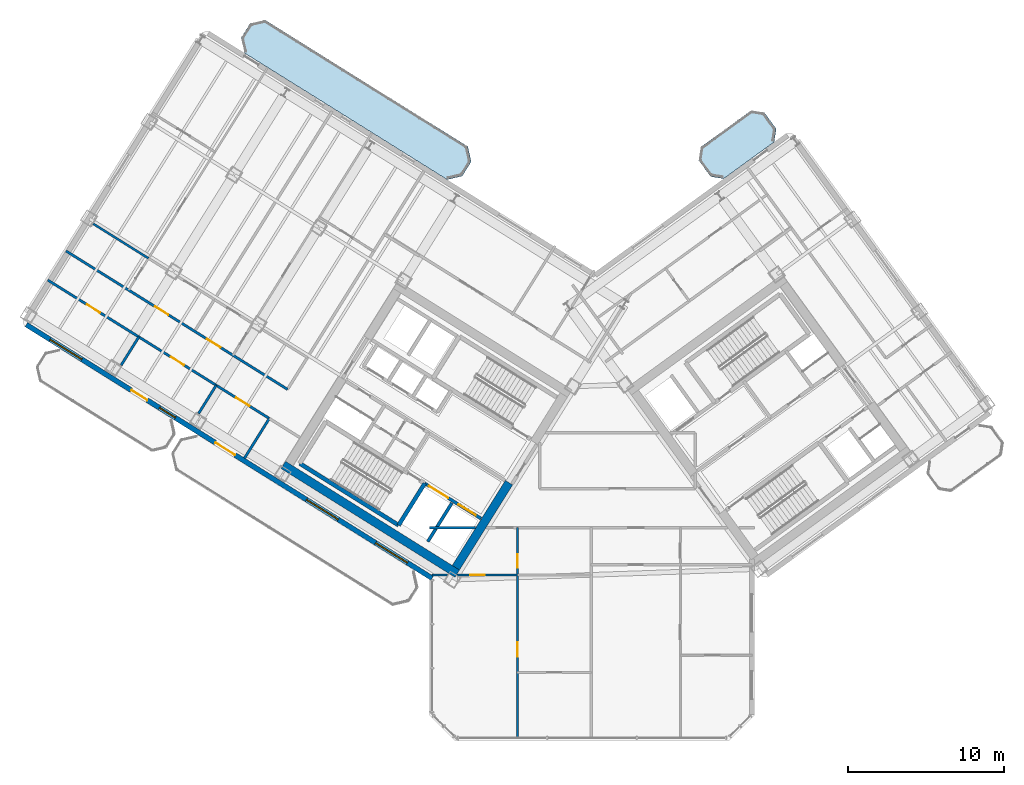
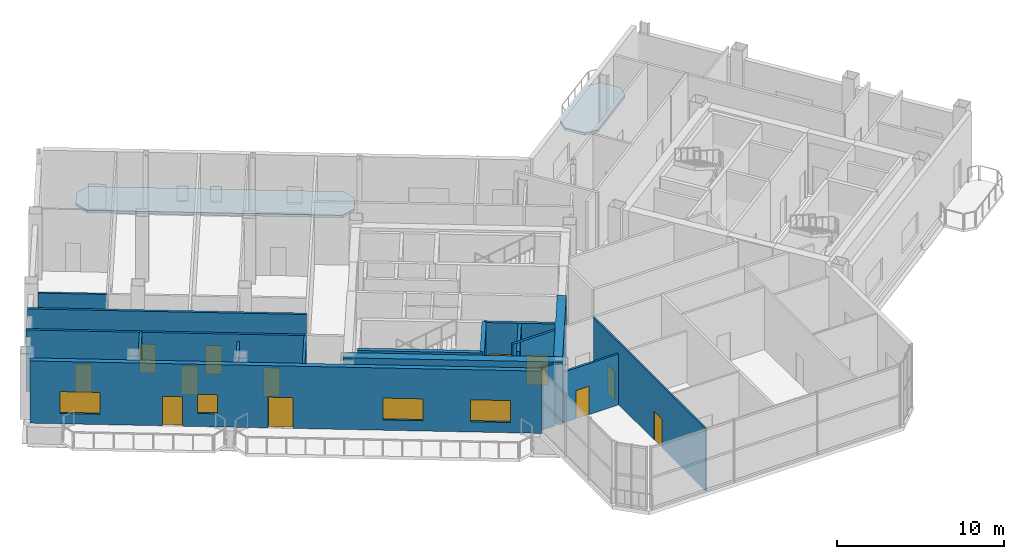
# One storey, part 12 of 21: 17 walls, 12 doors, 4 windows, 2 slabs, 16 openings.
"""IFC4 building model written with IfcOpenShell, lengths in metres."""

from ifc_helpers import new_model, si_unit, direction, frame, frame_2d, origin, place, context, subcontext, project, spatial, polyline, rectangle, outline, extrude, source, transform, mapped, material, layer, layer_set, type_object, element, fill, save


model = new_model("IFC4")

# Units and contexts
model_context = context("Model", 3, precision=1e-05, world=origin(), true_north=direction((0.0, 1.0)))
body_context = subcontext(model_context, "Body", "Model", "MODEL_VIEW")
ifc_project = project(units=[si_unit("LENGTHUNIT", "METRE"), si_unit("AREAUNIT", "SQUARE_METRE"), si_unit("VOLUMEUNIT", "CUBIC_METRE"), si_unit("PLANEANGLEUNIT", "RADIAN"), si_unit("MASSUNIT", "GRAM", prefix="KILO")], contexts=[model_context])

# Site, building, storey
site_placement = place(None, origin())
site = spatial("IfcSite", under=ifc_project, at=site_placement, CompositionType="ELEMENT")
building_placement = place(site_placement, origin())
building = spatial("IfcBuilding", under=site, at=building_placement, Name="Tlacorven Tower", CompositionType="ELEMENT")
storey_placement = place(building_placement, frame((0.0, 0.0, 179.39990234375)))
storey = spatial("IfcBuildingStorey", under=building, at=storey_placement, Name="L45", CompositionType="ELEMENT", Elevation=179.39990234375)

# Slabs
ifc_material_1 = material(Name="Precast concrete C45/55", Category="concrete")
ifc_layer_1 = layer(ifc_material_1, 0.179931640625)
ifc_layer_set_1 = layer_set([ifc_layer_1], Name="Precast concrete C45/55")
slab_type = type_object("IfcSlabType", Name="SL-BAL-180", PredefinedType="USERDEFINED", material=ifc_layer_set_1)
slab_1_placement = place(storey_placement, frame((0.0, 0.0, -0.179931640625)))
element("IfcSlab", 1, at=slab_1_placement, inside=storey, type_object=slab_type, Name="L45 West Wing Balcony Ribbon IN", ObjectType="BALCONY SLAB", PredefinedType="USERDEFINED", context=body_context, shape_type="SweptSolid", body=[
    extrude(outline(polyline([(34.0419921875, 39.835693359375), (21.06689453125, 47.943359375), (20.102294921875, 47.720703125), (19.52197265625, 46.7919921875), (19.744873046875, 45.827392578125), (32.719970703125, 37.7197265625), (33.6845703125, 37.9423828125), (34.2646484375, 38.87109375), (34.0419921875, 39.835693359375)])), origin(), (0.0, 0.0, 1.0), 0.179931640625),
])
slab_2_placement = place(storey_placement, frame((0.0, 0.0, -0.179931640625)))
element("IfcSlab", 2, at=slab_2_placement, inside=storey, type_object=slab_type, Name="L45 East Wing Balcony Ribbon IN", ObjectType="BALCONY SLAB", PredefinedType="USERDEFINED", context=body_context, shape_type="SweptSolid", body=[
    extrude(outline(polyline([(50.433837890625, 37.77880859375), (53.669921875, 40.1298828125), (53.802490234375, 40.968017578125), (53.04150390625, 42.015625), (52.203369140625, 42.1484375), (48.96728515625, 39.79736328125), (48.83447265625, 38.959228515625), (49.595703125, 37.91162109375), (50.433837890625, 37.77880859375)])), origin(), (0.0, 0.0, 1.0), 0.179931640625),
])

# Walls
ifc_material_2 = material(Name="Concrete C60/75", Category="concrete")
ifc_layer_2 = layer(ifc_material_2, 0.550048828125)
ifc_layer_set_2 = layer_set([ifc_layer_2], Name="Concrete C60/75")
wall_type_1 = type_object("IfcWallType", Name="WL-COR-550", PredefinedType="SHEAR", material=ifc_layer_set_2)
wall_1_placement = place(storey_placement, frame((33.3662109375, 12.4765625, 0.0), z_axis=(0.0, 0.0, 1.0), x_axis=(-0.848047359947, 0.529920442413, 0.0)))
element("IfcWall", 3, at=wall_1_placement, inside=storey, type_object=wall_type_1, Name="L45 W core shear wall S2", PredefinedType="SHEAR", context=body_context, shape_type="SweptSolid", body=[
    extrude(rectangle(XDim=13.139892578125, YDim=0.550048828125, at=frame_2d((6.56982421875, 0.0))), origin(), (0.0, 0.0, 1.0), 4.550048828125),
])
wall_2_placement = place(storey_placement, frame((36.683349609375, 18.30419921875, 0.0), z_axis=(0.0, 0.0, 1.0), x_axis=(-0.529896466841, -0.848062341122, 0.0)))
element("IfcWall", 4, at=wall_2_placement, inside=storey, type_object=wall_type_1, Name="L45 W core end wall E1.2", PredefinedType="SHEAR", context=body_context, shape_type="SweptSolid", body=[
    extrude(rectangle(XDim=6.4248046875, YDim=0.550048828125, at=frame_2d((3.21240234375, 0.0))), origin(), (0.0, 0.0, 1.0), 4.550048828125),
])
ifc_material_3 = material(Name="Gypsum plasterboard acoustic partition", Category="gypsum")
ifc_layer_3 = layer(ifc_material_3, 0.159912109375)
ifc_layer_set_3 = layer_set([ifc_layer_3], Name="Gypsum plasterboard acoustic partition")
wall_type_2 = type_object("IfcWallType", Name="WL-DEM-160", PredefinedType="PARTITIONING", material=ifc_layer_set_3)
wall_3_placement = place(storey_placement, frame((21.3291015625, 22.41552734375, 0.0), z_axis=(0.0, 0.0, 1.0), x_axis=(-0.529933104572, -0.848039447596, 0.0)))
element("IfcWall", 5, at=wall_3_placement, inside=storey, type_object=wall_type_2, Name="L45 partition 48", PredefinedType="PARTITIONING", context=body_context, shape_type="SweptSolid", body=[
    extrude(rectangle(XDim=3.0, YDim=0.159912109375, at=frame_2d((1.5, 0.0))), origin(), (0.0, 0.0, 1.0), 4.5400390625),
])

# Wall, openings, doors
wall_4_placement = place(storey_placement, frame((22.494873046875, 24.28125, 0.0), z_axis=(0.0, 0.0, 1.0), x_axis=(-0.848052408131, 0.529912363569, 0.0)))
wall_4 = element("IfcWall", 6, at=wall_4_placement, inside=storey, type_object=wall_type_2, Name="L45 Wing W Corridor South Wall", PredefinedType="PARTITIONING", context=body_context, shape_type="SweptSolid", body=[
    extrude(rectangle(XDim=16.72998046875, YDim=0.159912109375, at=frame_2d((8.364990234375, 0.0))), origin(), (0.0, 0.0, 1.0), 4.5400390625),
])
opening_1_placement = place(wall_4_placement, frame((5.068115234375, 0.0, 0.0)))
opening_1 = element("IfcOpeningElement", 7, at=opening_1_placement, cuts=wall_4, Name="Opening D11", PredefinedType="OPENING", context=body_context, shape_type="SweptSolid", body=[
    extrude(rectangle(XDim=1.0, YDim=2.10009765625, at=frame_2d((0.5, 1.050048828125))), frame((0.0, 0.08984375, 0.0), z_axis=(0.0, -1.0, 0.0), x_axis=(1.0, 0.0, 0.0)), (0.0, 0.0, 1.0), 0.179931640625),
])
opening_2_placement = place(wall_4_placement, frame((9.010986328125, 0.0, 0.0)))
opening_2 = element("IfcOpeningElement", 8, at=opening_2_placement, cuts=wall_4, Name="Opening D11", PredefinedType="OPENING", context=body_context, shape_type="SweptSolid", body=[
    extrude(rectangle(XDim=1.0, YDim=2.10009765625, at=frame_2d((0.5, 1.050048828125))), frame((0.0, 0.08984375, 0.0), z_axis=(0.0, -1.0, 0.0), x_axis=(1.0, 0.0, 0.0)), (0.0, 0.0, 1.0), 0.179931640625),
])
ifc_material_4 = material(Name="Fire-rated steel door assembly", Category="steel")
door_type_1 = type_object("IfcDoorType", Name="DR-FLT-FD60-1000", OperationType="NOTDEFINED", PredefinedType="DOOR", material=ifc_material_4)
shared_shape_1 = source(origin(), body_context, "Body", "SweptSolid", [
    extrude(rectangle(XDim=1.0, YDim=2.10009765625, at=frame_2d((0.5, 1.050048828125))), frame((0.0, 0.02490234375, 0.0), z_axis=(0.0, -1.0, 0.0), x_axis=(1.0, 0.0, 0.0)), (0.0, 0.0, 1.0), 0.050048828125),
])
door_1_placement = place(opening_1_placement, origin())
door_1 = element("IfcDoor", 9, at=door_1_placement, inside=storey, type_object=door_type_1, Name="L45 door 027", OperationType="SINGLE_SWING_LEFT", OverallHeight=2.10009765625, OverallWidth=1.0, PredefinedType="DOOR", context=body_context, shape_type="MappedRepresentation", body=[
    mapped(shared_shape_1, transform((0.0, 0.0, 0.0), scale=1.0)),
])
fill(opening_1, door_1)
door_2_placement = place(opening_2_placement, origin())
door_2 = element("IfcDoor", 10, at=door_2_placement, inside=storey, type_object=door_type_1, Name="L45 door 033", OperationType="SINGLE_SWING_LEFT", OverallHeight=2.10009765625, OverallWidth=1.0, PredefinedType="DOOR", context=body_context, shape_type="MappedRepresentation", body=[
    mapped(shared_shape_1, transform((0.0, 0.0, 0.0), scale=1.0)),
])
fill(opening_2, door_2)

wall_5_placement = place(storey_placement, frame((21.3291015625, 22.41552734375, 0.0), z_axis=(0.0, 0.0, 1.0), x_axis=(-0.848052408131, 0.529912363569, 0.0)))
wall_5 = element("IfcWall", 11, at=wall_5_placement, inside=storey, type_object=wall_type_2, Name="L45 Wing W Corridor North Wall", PredefinedType="PARTITIONING", context=body_context, shape_type="SweptSolid", body=[
    extrude(rectangle(XDim=16.72998046875, YDim=0.159912109375, at=frame_2d((8.364990234375, 0.0))), origin(), (0.0, 0.0, 1.0), 4.5400390625),
])
opening_3_placement = place(wall_5_placement, frame((1.5048828125, 0.0, 0.0)))
opening_3 = element("IfcOpeningElement", 12, at=opening_3_placement, cuts=wall_5, Name="Opening D11", PredefinedType="OPENING", context=body_context, shape_type="SweptSolid", body=[
    extrude(rectangle(XDim=1.0, YDim=2.10009765625, at=frame_2d((0.5, 1.050048828125))), frame((0.0, 0.08984375, 0.0), z_axis=(0.0, -1.0, 0.0), x_axis=(1.0, 0.0, 0.0)), (0.0, 0.0, 1.0), 0.179931640625),
])
opening_4_placement = place(wall_5_placement, frame((6.4345703125, 0.0, 0.0)))
opening_4 = element("IfcOpeningElement", 13, at=opening_4_placement, cuts=wall_5, Name="Opening D11", PredefinedType="OPENING", context=body_context, shape_type="SweptSolid", body=[
    extrude(rectangle(XDim=1.0, YDim=2.10009765625, at=frame_2d((0.5, 1.050048828125))), frame((0.0, 0.08984375, 0.0), z_axis=(0.0, -1.0, 0.0), x_axis=(1.0, 0.0, 0.0)), (0.0, 0.0, 1.0), 0.179931640625),
])
opening_5_placement = place(wall_5_placement, frame((12.784423828125, 0.0, 0.0)))
opening_5 = element("IfcOpeningElement", 14, at=opening_5_placement, cuts=wall_5, Name="Opening D11", PredefinedType="OPENING", context=body_context, shape_type="SweptSolid", body=[
    extrude(rectangle(XDim=1.0, YDim=2.10009765625, at=frame_2d((0.5, 1.050048828125))), frame((0.0, 0.08984375, 0.0), z_axis=(0.0, -1.0, 0.0), x_axis=(1.0, 0.0, 0.0)), (0.0, 0.0, 1.0), 0.179931640625),
])
door_3_placement = place(opening_3_placement, origin())
door_3 = element("IfcDoor", 15, at=door_3_placement, inside=storey, type_object=door_type_1, Name="L45 door 023", OperationType="SINGLE_SWING_LEFT", OverallHeight=2.10009765625, OverallWidth=1.0, PredefinedType="DOOR", context=body_context, shape_type="MappedRepresentation", body=[
    mapped(shared_shape_1, transform((0.0, 0.0, 0.0), scale=1.0)),
])
fill(opening_3, door_3)
door_4_placement = place(opening_4_placement, origin())
door_4 = element("IfcDoor", 16, at=door_4_placement, inside=storey, type_object=door_type_1, Name="L45 door 024", OperationType="SINGLE_SWING_RIGHT", OverallHeight=2.10009765625, OverallWidth=1.0, PredefinedType="DOOR", context=body_context, shape_type="MappedRepresentation", body=[
    mapped(shared_shape_1, transform((0.0, 0.0, 0.0), scale=1.0)),
])
fill(opening_4, door_4)
door_5_placement = place(opening_5_placement, origin())
door_5 = element("IfcDoor", 17, at=door_5_placement, inside=storey, type_object=door_type_1, Name="L45 door 025", OperationType="SINGLE_SWING_LEFT", OverallHeight=2.10009765625, OverallWidth=1.0, PredefinedType="DOOR", context=body_context, shape_type="MappedRepresentation", body=[
    mapped(shared_shape_1, transform((0.0, 0.0, 0.0), scale=1.0)),
])
fill(opening_5, door_5)

# Walls
wall_6_placement = place(storey_placement, frame((17.92822265625, 24.54052734375, 0.0), z_axis=(0.0, 0.0, 1.0), x_axis=(-0.529844966244, -0.848094518167, 0.0)))
element("IfcWall", 18, at=wall_6_placement, inside=storey, type_object=wall_type_2, Name="L45 partition 51", PredefinedType="PARTITIONING", context=body_context, shape_type="SweptSolid", body=[
    extrude(rectangle(XDim=2.137939453125, YDim=0.159912109375, at=frame_2d((1.06884765625, 0.0))), origin(), (0.0, 0.0, 1.0), 4.025146484375),
])
wall_7_placement = place(storey_placement, frame((12.968017578125, 27.639892578125, 0.0), z_axis=(0.0, 0.0, 1.0), x_axis=(-0.52989628283, -0.848062456098, 0.0)))
element("IfcWall", 19, at=wall_7_placement, inside=storey, type_object=wall_type_2, Name="L45 partition 52", PredefinedType="PARTITIONING", context=body_context, shape_type="SweptSolid", body=[
    extrude(rectangle(XDim=2.1376953125, YDim=0.159912109375, at=frame_2d((1.06884765625, 0.0))), origin(), (0.0, 0.0, 1.0), 4.5400390625),
])
wall_8_placement = place(storey_placement, frame((31.60009765625, 15.419921875, 0.0), z_axis=(0.0, 0.0, 1.0), x_axis=(1.0, 0.0, 0.0)))
element("IfcWall", 20, at=wall_8_placement, inside=storey, type_object=wall_type_2, Name="L45 Knuckle Corridor South Wall", PredefinedType="PARTITIONING", context=body_context, shape_type="SweptSolid", body=[
    extrude(rectangle(XDim=2.925048828125, YDim=0.159912109375, at=frame_2d((1.46240234375, 0.0))), origin(), (0.0, 0.0, 1.0), 4.5400390625),
])

# Wall, openings, doors, windows
ifc_layer_4 = layer(ifc_material_1, 0.320068359375)
ifc_layer_set_4 = layer_set([ifc_layer_4], Name="Precast concrete C45/55")
wall_type_3 = type_object("IfcWallType", Name="WL-EXT-320", PredefinedType="STANDARD", material=ifc_layer_set_4)
wall_9_placement = place(storey_placement, frame((31.760009765625, 12.18310546875, 0.0), z_axis=(0.0, 0.0, 1.0), x_axis=(-0.848047074256, 0.529920899612, 0.0)))
wall_9 = element("IfcWall", 21, at=wall_9_placement, inside=storey, type_object=wall_type_3, Name="L45 Masonry-Frame Recessed Facade Wall 1", PredefinedType="STANDARD", context=body_context, shape_type="SweptSolid", body=[
    extrude(rectangle(XDim=30.652099609375, YDim=0.320068359375, at=frame_2d((15.326171875, 0.0))), origin(), (0.0, 0.0, 1.0), 4.550048828125),
])
opening_6_placement = place(wall_9_placement, frame((21.519775390625, 0.0, 0.0)))
opening_6 = element("IfcOpeningElement", 22, at=opening_6_placement, cuts=wall_9, Name="Opening D05", PredefinedType="OPENING", context=body_context, shape_type="SweptSolid", body=[
    extrude(rectangle(XDim=1.199951171875, YDim=2.14990234375, at=frame_2d((0.60009765625, 1.074951171875))), frame((0.0, 0.169921875, 0.0), z_axis=(0.0, -1.0, 0.0), x_axis=(1.0, 0.0, 0.0)), (0.0, 0.0, 1.0), 0.340087890625),
])
opening_7_placement = place(wall_9_placement, frame((14.87841796875, 0.0, 0.0)))
opening_7 = element("IfcOpeningElement", 23, at=opening_7_placement, cuts=wall_9, Name="Opening D04", PredefinedType="OPENING", context=body_context, shape_type="SweptSolid", body=[
    extrude(rectangle(XDim=1.5, YDim=2.25, at=frame_2d((0.75, 1.125))), frame((0.0, 0.169921875, 0.0), z_axis=(0.0, -1.0, 0.0), x_axis=(1.0, 0.0, 0.0)), (0.0, 0.0, 1.0), 0.340087890625),
])
opening_8_placement = place(wall_9_placement, frame((1.864501953125, 0.0, 0.75)))
opening_8 = element("IfcOpeningElement", 24, at=opening_8_placement, cuts=wall_9, Name="Opening WN06", PredefinedType="OPENING", context=body_context, shape_type="SweptSolid", body=[
    extrude(rectangle(XDim=2.39990234375, YDim=1.60009765625, at=frame_2d((1.199951171875, 0.800048828125))), frame((0.0, 0.169921875, 0.0), z_axis=(0.0, -1.0, 0.0), x_axis=(1.0, 0.0, 0.0)), (0.0, 0.0, 1.0), 0.340087890625),
])
opening_9_placement = place(wall_9_placement, frame((7.09375, 0.0, 0.75)))
opening_9 = element("IfcOpeningElement", 25, at=opening_9_placement, cuts=wall_9, Name="Opening WN06", PredefinedType="OPENING", context=body_context, shape_type="SweptSolid", body=[
    extrude(rectangle(XDim=2.39990234375, YDim=1.60009765625, at=frame_2d((1.199951171875, 0.800048828125))), frame((0.0, 0.169921875, 0.0), z_axis=(0.0, -1.0, 0.0), x_axis=(1.0, 0.0, 0.0)), (0.0, 0.0, 1.0), 0.340087890625),
])
opening_10_placement = place(wall_9_placement, frame((19.404052734375, 0.0, 0.949951171875)))
opening_10 = element("IfcOpeningElement", 26, at=opening_10_placement, cuts=wall_9, Name="Opening WN03", PredefinedType="OPENING", context=body_context, shape_type="SweptSolid", body=[
    extrude(rectangle(XDim=1.199951171875, YDim=1.39990234375, at=frame_2d((0.60009765625, 0.699951171875))), frame((0.0, 0.169921875, 0.0), z_axis=(0.0, -1.0, 0.0), x_axis=(1.0, 0.0, 0.0)), (0.0, 0.0, 1.0), 0.340087890625),
])
opening_11_placement = place(wall_9_placement, frame((26.458251953125, 0.0, 0.75)))
opening_11 = element("IfcOpeningElement", 27, at=opening_11_placement, cuts=wall_9, Name="Opening WN06", PredefinedType="OPENING", context=body_context, shape_type="SweptSolid", body=[
    extrude(rectangle(XDim=2.39990234375, YDim=1.60009765625, at=frame_2d((1.199951171875, 0.800048828125))), frame((0.0, 0.169921875, 0.0), z_axis=(0.0, -1.0, 0.0), x_axis=(1.0, 0.0, 0.0)), (0.0, 0.0, 1.0), 0.340087890625),
])
ifc_material_5 = material(Name="Powder-coated aluminium and timber door", Category="wood")
door_type_2 = type_object("IfcDoorType", Name="DR-EXT-BALC-1200", OperationType="NOTDEFINED", PredefinedType="DOOR", material=ifc_material_5)
shared_shape_2 = source(origin(), body_context, "Body", "SweptSolid", [
    extrude(rectangle(XDim=1.199951171875, YDim=2.14990234375, at=frame_2d((0.60009765625, 1.074951171875))), frame((0.0, 0.02490234375, 0.0), z_axis=(0.0, -1.0, 0.0), x_axis=(1.0, 0.0, 0.0)), (0.0, 0.0, 1.0), 0.050048828125),
])
door_6_placement = place(opening_6_placement, origin())
door_6 = element("IfcDoor", 28, at=door_6_placement, inside=storey, type_object=door_type_2, Name="L45 Outdoor Access Door BAL-L45-W-OUT", OperationType="SINGLE_SWING_LEFT", OverallHeight=2.14990234375, OverallWidth=1.199951171875, PredefinedType="DOOR", context=body_context, shape_type="MappedRepresentation", body=[
    mapped(shared_shape_2, transform((0.0, 0.0, 0.0), scale=1.0)),
])
fill(opening_6, door_6)
ifc_material_6 = material(Name="Dark solar low-E double glazing in anodised aluminium frame", Category="aluminium")
window_type_1 = type_object("IfcWindowType", Name="WN-APT-1200X1500", PartitioningType="SINGLE_PANEL", PredefinedType="WINDOW", material=ifc_material_6)
shared_shape_3 = source(origin(), body_context, "Body", "SweptSolid", [
    extrude(rectangle(XDim=1.199951171875, YDim=1.39990234375, at=frame_2d((0.60009765625, 0.699951171875))), frame((0.0, 0.030029296875, 0.0), z_axis=(0.0, -1.0, 0.0), x_axis=(1.0, 0.0, 0.0)), (0.0, 0.0, 1.0), 0.06005859375),
])
window_1_placement = place(opening_10_placement, origin())
window_1 = element("IfcWindow", 29, at=window_1_placement, inside=storey, type_object=window_type_1, Name="L45 Recessed Masonry-Frame Window L45-01.3", OverallHeight=1.39990234375, OverallWidth=1.199951171875, PartitioningType="SINGLE_PANEL", PredefinedType="WINDOW", context=body_context, shape_type="MappedRepresentation", body=[
    mapped(shared_shape_3, transform((0.0, 0.0, 0.0), scale=1.0)),
])
fill(opening_10, window_1)
door_type_3 = type_object("IfcDoorType", Name="DR-EXT-TERR-1500", OperationType="DOUBLE_DOOR_SINGLE_SWING", PredefinedType="DOOR", material=ifc_material_5)
shared_shape_4 = source(origin(), body_context, "Body", "SweptSolid", [
    extrude(rectangle(XDim=1.5, YDim=2.25, at=frame_2d((0.75, 1.125))), frame((0.0, 0.02490234375, 0.0), z_axis=(0.0, -1.0, 0.0), x_axis=(1.0, 0.0, 0.0)), (0.0, 0.0, 1.0), 0.050048828125),
])
door_7_placement = place(opening_7_placement, origin())
door_7 = element("IfcDoor", 30, at=door_7_placement, inside=storey, type_object=door_type_3, Name="L45 Outdoor Access Door TER-L45-SGW", OperationType="DOUBLE_DOOR_SINGLE_SWING", OverallHeight=2.25, OverallWidth=1.5, PredefinedType="DOOR", context=body_context, shape_type="MappedRepresentation", body=[
    mapped(shared_shape_4, transform((0.0, 0.0, 0.0), scale=1.0)),
])
fill(opening_7, door_7)
window_type_2 = type_object("IfcWindowType", Name="WN-APT-2400X1800", PartitioningType="SINGLE_PANEL", PredefinedType="WINDOW", material=ifc_material_6)
shared_shape_5 = source(origin(), body_context, "Body", "SweptSolid", [
    extrude(rectangle(XDim=2.39990234375, YDim=1.60009765625, at=frame_2d((1.199951171875, 0.800048828125))), frame((0.0, 0.030029296875, 0.0), z_axis=(0.0, -1.0, 0.0), x_axis=(1.0, 0.0, 0.0)), (0.0, 0.0, 1.0), 0.06005859375),
])
window_2_placement = place(opening_8_placement, origin())
window_2 = element("IfcWindow", 31, at=window_2_placement, inside=storey, type_object=window_type_2, Name="L45 Recessed Masonry-Frame Window L45-01.1", OverallHeight=1.60009765625, OverallWidth=2.39990234375, PartitioningType="SINGLE_PANEL", PredefinedType="WINDOW", context=body_context, shape_type="MappedRepresentation", body=[
    mapped(shared_shape_5, transform((0.0, 0.0, 0.0), scale=1.0)),
])
fill(opening_8, window_2)
window_3_placement = place(opening_9_placement, origin())
window_3 = element("IfcWindow", 32, at=window_3_placement, inside=storey, type_object=window_type_2, Name="L45 Recessed Masonry-Frame Window L45-01.2", OverallHeight=1.60009765625, OverallWidth=2.39990234375, PartitioningType="SINGLE_PANEL", PredefinedType="WINDOW", context=body_context, shape_type="MappedRepresentation", body=[
    mapped(shared_shape_5, transform((0.0, 0.0, 0.0), scale=1.0)),
])
fill(opening_9, window_3)
window_4_placement = place(opening_11_placement, origin())
window_4 = element("IfcWindow", 33, at=window_4_placement, inside=storey, type_object=window_type_2, Name="L45 Recessed Masonry-Frame Window L45-01.4", OverallHeight=1.60009765625, OverallWidth=2.39990234375, PartitioningType="SINGLE_PANEL", PredefinedType="WINDOW", context=body_context, shape_type="MappedRepresentation", body=[
    mapped(shared_shape_5, transform((0.0, 0.0, 0.0), scale=1.0)),
])
fill(opening_11, window_4)

# Wall, openings, doors
ifc_material_7 = material(Name="Gypsum plasterboard partition", Category="gypsum")
ifc_layer_5 = layer(ifc_material_7, 0.110107421875)
ifc_layer_set_5 = layer_set([ifc_layer_5], Name="Gypsum plasterboard partition")
wall_type_4 = type_object("IfcWallType", Name="WL-INT-110", PredefinedType="PARTITIONING", material=ifc_layer_set_5)
wall_10_placement = place(storey_placement, frame((37.221923828125, 1.9599609375, 0.0), z_axis=(0.0, 0.0, 1.0), x_axis=(0.0, 1.0, 0.0)))
wall_10 = element("IfcWall", 34, at=wall_10_placement, inside=storey, type_object=wall_type_4, Name="L45 partition 77", PredefinedType="PARTITIONING", context=body_context, shape_type="SweptSolid", body=[
    extrude(rectangle(XDim=13.4599609375, YDim=0.110107421875, at=frame_2d((6.72998046875, 0.0))), origin(), (0.0, 0.0, 1.0), 4.5400390625),
])
opening_12_placement = place(wall_10_placement, frame((5.199951171875, 0.0, 0.0)))
opening_12 = element("IfcOpeningElement", 35, at=opening_12_placement, cuts=wall_10, Name="Opening D12", PredefinedType="OPENING", context=body_context, shape_type="SweptSolid", body=[
    extrude(rectangle(XDim=0.919921875, YDim=2.080078125, at=frame_2d((0.4599609375, 1.0400390625))), frame((0.0, 0.06494140625, 0.0), z_axis=(0.0, -1.0, 0.0), x_axis=(1.0, 0.0, 0.0)), (0.0, 0.0, 1.0), 0.130126953125),
])
opening_13_placement = place(wall_10_placement, frame((10.889892578125, 0.0, 0.0)))
opening_13 = element("IfcOpeningElement", 36, at=opening_13_placement, cuts=wall_10, Name="Opening D13", PredefinedType="OPENING", context=body_context, shape_type="SweptSolid", body=[
    extrude(rectangle(XDim=0.8798828125, YDim=2.080078125, at=frame_2d((0.43994140625, 1.0400390625))), frame((0.0, 0.06494140625, 0.0), z_axis=(0.0, -1.0, 0.0), x_axis=(1.0, 0.0, 0.0)), (0.0, 0.0, 1.0), 0.130126953125),
])
door_type_4 = type_object("IfcDoorType", Name="DR-INT-WET-0880", OperationType="NOTDEFINED", PredefinedType="DOOR", material=ifc_material_5)
shared_shape_6 = source(origin(), body_context, "Body", "SweptSolid", [
    extrude(rectangle(XDim=0.8798828125, YDim=2.080078125, at=frame_2d((0.43994140625, 1.0400390625))), frame((0.0, 0.02490234375, 0.0), z_axis=(0.0, -1.0, 0.0), x_axis=(1.0, 0.0, 0.0)), (0.0, 0.0, 1.0), 0.050048828125),
])
door_8_placement = place(opening_13_placement, origin())
door_8 = element("IfcDoor", 37, at=door_8_placement, inside=storey, type_object=door_type_4, Name="L45 door 048", OperationType="SINGLE_SWING_LEFT", OverallHeight=2.080078125, OverallWidth=0.8798828125, PredefinedType="DOOR", context=body_context, shape_type="MappedRepresentation", body=[
    mapped(shared_shape_6, transform((0.0, 0.0, 0.0), scale=1.0)),
])
fill(opening_13, door_8)
door_type_5 = type_object("IfcDoorType", Name="DR-INT-ROOM-0920", OperationType="NOTDEFINED", PredefinedType="DOOR", material=ifc_material_5)
shared_shape_7 = source(origin(), body_context, "Body", "SweptSolid", [
    extrude(rectangle(XDim=0.919921875, YDim=2.080078125, at=frame_2d((0.4599609375, 1.0400390625))), frame((0.0, 0.02490234375, 0.0), z_axis=(0.0, -1.0, 0.0), x_axis=(1.0, 0.0, 0.0)), (0.0, 0.0, 1.0), 0.050048828125),
])
door_9_placement = place(opening_12_placement, origin())
door_9 = element("IfcDoor", 38, at=door_9_placement, inside=storey, type_object=door_type_5, Name="L45 door 044", OperationType="SINGLE_SWING_LEFT", OverallHeight=2.080078125, OverallWidth=0.919921875, PredefinedType="DOOR", context=body_context, shape_type="MappedRepresentation", body=[
    mapped(shared_shape_7, transform((0.0, 0.0, 0.0), scale=1.0)),
])
fill(opening_12, door_9)

# Walls
ifc_material_8 = material(Name="Moisture-resistant gypsum plumbing wall", Category="gypsum")
ifc_layer_6 = layer(ifc_material_8, 0.139892578125)
ifc_layer_set_6 = layer_set([ifc_layer_6], Name="Moisture-resistant gypsum plumbing wall")
wall_type_5 = type_object("IfcWallType", Name="WL-PLM-140", PredefinedType="PLUMBINGWALL", material=ifc_layer_set_6)
wall_11_placement = place(storey_placement, frame((13.586669921875, 32.677734375, 0.0), z_axis=(0.0, 0.0, 1.0), x_axis=(-0.848073874788, 0.529878007566, 0.0)))
element("IfcWall", 39, at=wall_11_placement, inside=storey, type_object=wall_type_5, Name="L45 partition 62", PredefinedType="PLUMBINGWALL", context=body_context, shape_type="SweptSolid", body=[
    extrude(rectangle(XDim=4.173828125, YDim=0.139892578125, at=frame_2d((2.0869140625, 0.0))), origin(), (0.0, 0.0, 1.0), 4.025146484375),
])
wall_12_placement = place(storey_placement, frame((31.739990234375, 12.389892578125, 0.0), z_axis=(0.0, 0.0, 1.0), x_axis=(1.0, 0.0, 0.0)))
element("IfcWall", 40, at=wall_12_placement, inside=storey, type_object=wall_type_5, Name="L45 partition 78", PredefinedType="PLUMBINGWALL", context=body_context, shape_type="SweptSolid", body=[
    extrude(rectangle(XDim=1.009765625, YDim=0.139892578125, at=frame_2d((0.5048828125, 0.0))), origin(), (0.0, 0.0, 1.0), 4.5400390625),
])

# Wall, opening, door
wall_13_placement = place(storey_placement, frame((33.338623046875, 12.389892578125, 0.0), z_axis=(0.0, 0.0, 1.0), x_axis=(1.0, 0.0, 0.0)))
wall_13 = element("IfcWall", 41, at=wall_13_placement, inside=storey, type_object=wall_type_5, Name="L45 partition 78", PredefinedType="PLUMBINGWALL", context=body_context, shape_type="SweptSolid", body=[
    extrude(rectangle(XDim=3.88330078125, YDim=0.139892578125, at=frame_2d((1.941650390625, 0.0))), origin(), (0.0, 0.0, 1.0), 3.72509765625),
])
opening_14_placement = place(wall_13_placement, frame((0.862548828125, 0.0, 0.0)))
opening_14 = element("IfcOpeningElement", 42, at=opening_14_placement, cuts=wall_13, Name="Opening D12", PredefinedType="OPENING", context=body_context, shape_type="SweptSolid", body=[
    extrude(rectangle(XDim=0.919921875, YDim=2.080078125, at=frame_2d((0.4599609375, 1.0400390625))), frame((0.0, 0.080078125, 0.0), z_axis=(0.0, -1.0, 0.0), x_axis=(1.0, 0.0, 0.0)), (0.0, 0.0, 1.0), 0.159912109375),
])
door_10_placement = place(opening_14_placement, frame((0.919921875, 0.0, 0.0), z_axis=(0.0, 0.0, 1.0), x_axis=(-1.0, 0.0, 0.0)))
door_10 = element("IfcDoor", 43, at=door_10_placement, inside=storey, type_object=door_type_5, Name="L45 door 047", OperationType="SINGLE_SWING_RIGHT", OverallHeight=2.080078125, OverallWidth=0.919921875, PredefinedType="DOOR", context=body_context, shape_type="MappedRepresentation", body=[
    mapped(shared_shape_7, transform((0.0, 0.0, 0.0), scale=1.0)),
])
fill(opening_14, door_10)

# Wall, openings, doors
ifc_material_9 = material(Name="Concrete C40/50", Category="concrete")
ifc_layer_7 = layer(ifc_material_9, 0.199951171875)
ifc_layer_set_7 = layer_set([ifc_layer_7], Name="Concrete C40/50")
wall_type_6 = type_object("IfcWallType", Name="WL-SHF-200", PredefinedType="STANDARD", material=ifc_layer_set_7)
wall_14_placement = place(storey_placement, frame((34.890625, 16.0048828125, 0.0), z_axis=(0.0, 0.0, 1.0), x_axis=(-0.848062873452, 0.529895614884, 0.0)))
wall_14 = element("IfcWall", 44, at=wall_14_placement, inside=storey, type_object=wall_type_6, Name="L45 Core W Firefighting Lift Shaft Front Wall", PredefinedType="STANDARD", context=body_context, shape_type="SweptSolid", body=[
    extrude(rectangle(XDim=4.248046875, YDim=0.199951171875, at=frame_2d((2.1240234375, 0.0))), origin(), (0.0, 0.0, 1.0), 4.5400390625),
])
opening_15_placement = place(wall_14_placement, frame((0.39794921875, 0.0, 0.0)))
opening_15 = element("IfcOpeningElement", 45, at=opening_15_placement, cuts=wall_14, Name="Opening LD03", PredefinedType="OPENING", context=body_context, shape_type="SweptSolid", body=[
    extrude(rectangle(XDim=1.300048828125, YDim=2.199951171875, at=frame_2d((0.64990234375, 1.10009765625))), frame((0.0, 0.10986328125, 0.0), z_axis=(0.0, -1.0, 0.0), x_axis=(1.0, 0.0, 0.0)), (0.0, 0.0, 1.0), 0.219970703125),
])
opening_16_placement = place(wall_14_placement, frame((2.472900390625, 0.0, 0.0)))
opening_16 = element("IfcOpeningElement", 46, at=opening_16_placement, cuts=wall_14, Name="Opening LD04", PredefinedType="OPENING", context=body_context, shape_type="SweptSolid", body=[
    extrude(rectangle(XDim=1.449951171875, YDim=2.25, at=frame_2d((0.72509765625, 1.125))), frame((0.0, 0.10986328125, 0.0), z_axis=(0.0, -1.0, 0.0), x_axis=(1.0, 0.0, 0.0)), (0.0, 0.0, 1.0), 0.219970703125),
])
door_type_6 = type_object("IfcDoorType", Name="DR-LFT-SLID-1300", OperationType="DOUBLE_DOOR_SLIDING", PredefinedType="DOOR", material=ifc_material_4)
shared_shape_8 = source(origin(), body_context, "Body", "SweptSolid", [
    extrude(rectangle(XDim=1.300048828125, YDim=2.199951171875, at=frame_2d((0.64990234375, 1.10009765625))), frame((0.0, 0.02490234375, 0.0), z_axis=(0.0, -1.0, 0.0), x_axis=(1.0, 0.0, 0.0)), (0.0, 0.0, 1.0), 0.050048828125),
])
door_11_placement = place(opening_15_placement, origin())
door_11 = element("IfcDoor", 47, at=door_11_placement, inside=storey, type_object=door_type_6, Name="L45 Lift FFL-W1 Sliding Landing Door", OperationType="DOUBLE_DOOR_SLIDING", OverallHeight=2.199951171875, OverallWidth=1.300048828125, PredefinedType="DOOR", context=body_context, shape_type="MappedRepresentation", body=[
    mapped(shared_shape_8, transform((0.0, 0.0, 0.0), scale=1.0)),
])
fill(opening_15, door_11)
door_type_7 = type_object("IfcDoorType", Name="DR-LFT-SLID-1450", OperationType="DOUBLE_DOOR_SLIDING", PredefinedType="DOOR", material=ifc_material_4)
shared_shape_9 = source(origin(), body_context, "Body", "SweptSolid", [
    extrude(rectangle(XDim=1.449951171875, YDim=2.25, at=frame_2d((0.72509765625, 1.125))), frame((0.0, 0.02490234375, 0.0), z_axis=(0.0, -1.0, 0.0), x_axis=(1.0, 0.0, 0.0)), (0.0, 0.0, 1.0), 0.050048828125),
])
door_12_placement = place(opening_16_placement, origin())
door_12 = element("IfcDoor", 48, at=door_12_placement, inside=storey, type_object=door_type_7, Name="L45 Lift SVL-W1 Sliding Landing Door", OperationType="DOUBLE_DOOR_SLIDING", OverallHeight=2.25, OverallWidth=1.449951171875, PredefinedType="DOOR", context=body_context, shape_type="MappedRepresentation", body=[
    mapped(shared_shape_9, transform((0.0, 0.0, 0.0), scale=1.0)),
])
fill(opening_16, door_12)

# Walls
wall_15_placement = place(storey_placement, frame((33.02880859375, 17.003173828125, 0.0), z_axis=(0.0, 0.0, 1.0), x_axis=(-0.529916267533, -0.848049968695, 0.0)))
element("IfcWall", 49, at=wall_15_placement, inside=storey, type_object=wall_type_6, Name="L45 partition 14", PredefinedType="STANDARD", context=body_context, shape_type="SweptSolid", body=[
    extrude(rectangle(XDim=2.919921875, YDim=0.199951171875, at=frame_2d((1.4599609375, 0.0))), origin(), (0.0, 0.0, 1.0), 4.5400390625),
])
ifc_material_10 = material(Name="Concrete C50/60", Category="concrete")
ifc_layer_8 = layer(ifc_material_10, 0.260009765625)
ifc_layer_set_8 = layer_set([ifc_layer_8], Name="Concrete C50/60")
wall_type_7 = type_object("IfcWallType", Name="WL-STW-260", PredefinedType="SHEAR", material=ifc_layer_set_8)
wall_16_placement = place(storey_placement, frame((29.60498046875, 15.581298828125, 0.0), z_axis=(0.0, 0.0, 1.0), x_axis=(-0.848036911448, 0.529937163087, 0.0)))
element("IfcWall", 50, at=wall_16_placement, inside=storey, type_object=wall_type_7, Name="L45 Stair W1 Far Shear Wall", PredefinedType="SHEAR", context=body_context, shape_type="SweptSolid", body=[
    extrude(rectangle(XDim=7.4599609375, YDim=0.260009765625, at=frame_2d((3.72998046875, 0.0))), origin(), (0.0, 0.0, 1.0), 4.550048828125),
])
wall_17_placement = place(storey_placement, frame((31.2880859375, 18.255859375, 0.0), z_axis=(0.0, 0.0, 1.0), x_axis=(-0.529943379326, -0.848033026897, 0.0)))
element("IfcWall", 51, at=wall_17_placement, inside=storey, type_object=wall_type_7, Name="L45 Stair W1 West Shear Wall", PredefinedType="SHEAR", context=body_context, shape_type="SweptSolid", body=[
    extrude(rectangle(XDim=3.159912109375, YDim=0.260009765625, at=frame_2d((1.580078125, 0.0))), origin(), (0.0, 0.0, 1.0), 4.550048828125),
])

save(model, "model.ifc")
